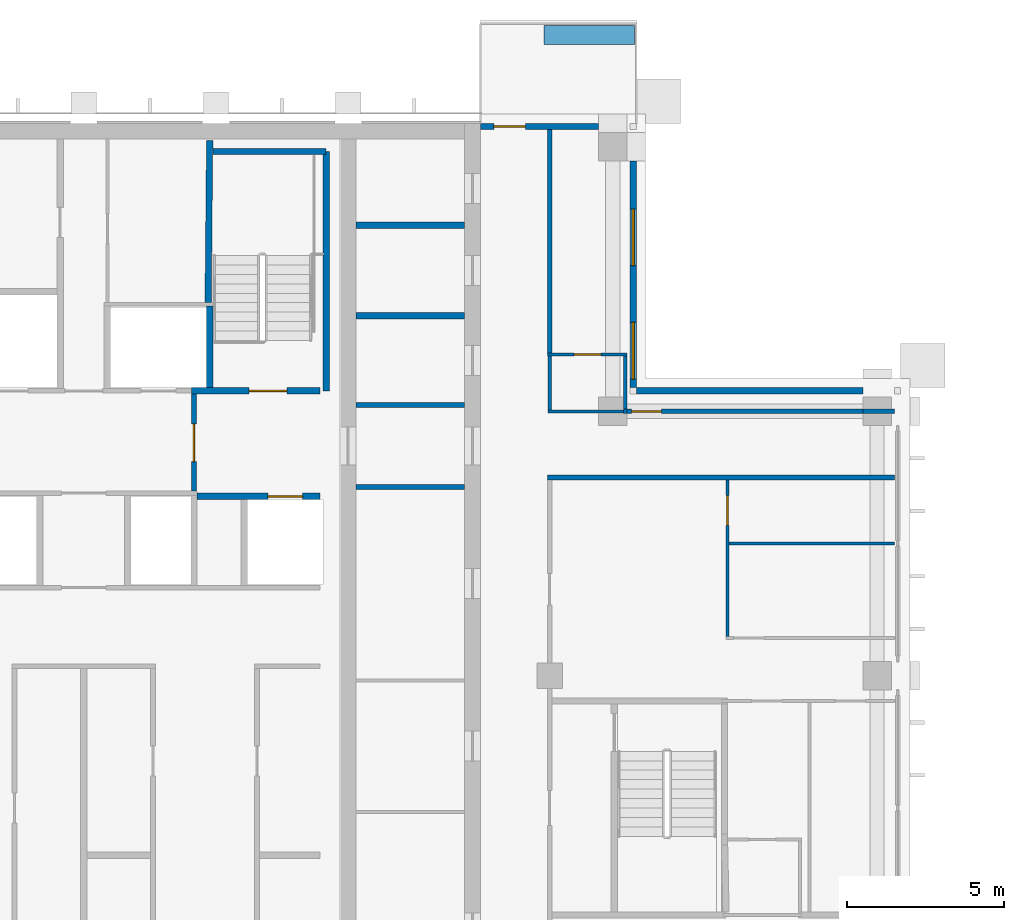
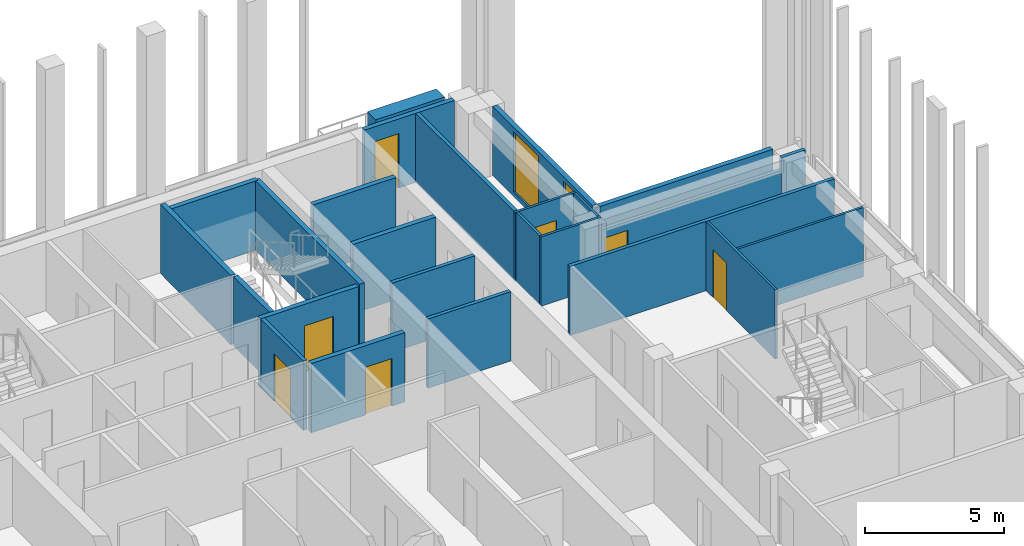
# One storey, part 15 of 20: 26 walls, 7 doors, 2 windows, 9 openings.
"""IFC4 building model written with IfcOpenShell, lengths in metres."""

from ifc_helpers import new_model, si_unit, direction, frame, frame_2d, origin, place, context, subcontext, project, spatial, rectangle, extrude, material, layer, layer_set, type_object, element, fill, save


model = new_model("IFC4")

# Units and contexts
model_context = context("Model", 3, precision=1e-05, world=origin(), true_north=direction((0.0, 1.0)))
body_context = subcontext(model_context, "Body", "Model", "MODEL_VIEW")
ifc_project = project(units=[si_unit("LENGTHUNIT", "METRE"), si_unit("AREAUNIT", "SQUARE_METRE"), si_unit("VOLUMEUNIT", "CUBIC_METRE"), si_unit("PLANEANGLEUNIT", "RADIAN"), si_unit("MASSUNIT", "GRAM", prefix="KILO")], contexts=[model_context])

# Site, building, storey
site_placement = place(None, origin())
site = spatial("IfcSite", under=ifc_project, at=site_placement, CompositionType="ELEMENT")
building_placement = place(site_placement, origin())
building = spatial("IfcBuilding", under=site, at=building_placement, Name="Vermilion Ogive Tower", CompositionType="ELEMENT")
storey_placement = place(building_placement, frame((0.0, 0.0, 223.449951171875)))
storey = spatial("IfcBuildingStorey", under=building, at=storey_placement, Name="L58", CompositionType="ELEMENT", Elevation=223.449951171875)

# Wall
ifc_material_1 = material(Name="Gypsum board partition on steel studs", Category="steel")
ifc_layer_1 = layer(ifc_material_1, 0.10009765625)
ifc_layer_set_1 = layer_set([ifc_layer_1], Name="Partition 100 bath")
wall_type_1 = type_object("IfcWallType", Name="Partition 100 bath", PredefinedType="PARTITIONING", material=ifc_layer_set_1)
wall_1_placement = place(storey_placement, frame((14.75, 12.60009765625, 0.0), z_axis=(0.0, 0.0, 1.0), x_axis=(1.0, 0.0, 0.0)))
element("IfcWall", 1, at=wall_1_placement, inside=storey, type_object=wall_type_1, Name="L58-W-W035", PredefinedType="PARTITIONING", context=body_context, shape_type="SweptSolid", body=[
    extrude(rectangle(XDim=2.5, YDim=0.10009765625, at=frame_2d((1.25, 0.0))), origin(), (0.0, 0.0, 1.0), 3.050048828125),
])

# Wall, opening, door
wall_2_placement = place(storey_placement, frame((14.72509765625, 14.39990234375, 0.0), z_axis=(0.0, 0.0, 1.0), x_axis=(1.0, 0.0, 0.0)))
wall_2 = element("IfcWall", 2, at=wall_2_placement, inside=storey, type_object=wall_type_1, Name="L58-W-W038", PredefinedType="PARTITIONING", context=body_context, shape_type="SweptSolid", body=[
    extrude(rectangle(XDim=2.52490234375, YDim=0.10009765625, at=frame_2d((1.262451171875, 0.0))), origin(), (0.0, 0.0, 1.0), 3.050048828125),
])
opening_1_placement = place(wall_2_placement, frame((0.849853515625, 0.0, 0.0)))
opening_1 = element("IfcOpeningElement", 3, at=opening_1_placement, cuts=wall_2, Name="Opening D5G1022", PredefinedType="OPENING", context=body_context, shape_type="SweptSolid", body=[
    extrude(rectangle(XDim=0.85009765625, YDim=2.10009765625, at=frame_2d((0.425048828125, 1.050048828125))), frame((0.0, 0.06005859375, 0.0), z_axis=(0.0, -1.0, 0.0), x_axis=(1.0, 0.0, 0.0)), (0.0, 0.0, 1.0), 0.1201171875),
])
ifc_material_2 = material(Name="Timber door leaf", Category="wood")
door_type_1 = type_object("IfcDoorType", Name="Bath door 850 x 2100 FD30", OperationType="SINGLE_SWING_LEFT", PredefinedType="DOOR", material=ifc_material_2)
door_1_placement = place(opening_1_placement, origin())
door_1 = element("IfcDoor", 4, at=door_1_placement, inside=storey, type_object=door_type_1, Name="L58-D-D022", OperationType="SINGLE_SWING_RIGHT", OverallHeight=2.10009765625, OverallWidth=0.85009765625, PredefinedType="DOOR", context=body_context, shape_type="SweptSolid", body=[
    extrude(rectangle(XDim=0.85009765625, YDim=2.10009765625, at=frame_2d((0.425048828125, 1.050048828125))), frame((0.0, 0.02490234375, 0.0), z_axis=(0.0, -1.0, 0.0), x_axis=(1.0, 0.0, 0.0)), (0.0, 0.0, 1.0), 0.050048828125),
])
fill(opening_1, door_1)

# Walls
wall_3_placement = place(storey_placement, frame((14.800048828125, 12.64990234375, 0.0), z_axis=(0.0, 0.0, 1.0), x_axis=(0.0, 1.0, 0.0)))
element("IfcWall", 5, at=wall_3_placement, inside=storey, type_object=wall_type_1, Name="L58-W-W058", PredefinedType="PARTITIONING", context=body_context, shape_type="SweptSolid", body=[
    extrude(rectangle(XDim=1.7001953125, YDim=0.10009765625, at=frame_2d((0.85009765625, 0.0))), origin(), (0.0, 0.0, 1.0), 3.050048828125),
])
wall_4_placement = place(storey_placement, frame((17.199951171875, 12.675048828125, 0.0), z_axis=(0.0, 0.0, 1.0), x_axis=(0.0, 1.0, 0.0)))
element("IfcWall", 6, at=wall_4_placement, inside=storey, type_object=wall_type_1, Name="L58-W-W062", PredefinedType="PARTITIONING", context=body_context, shape_type="SweptSolid", body=[
    extrude(rectangle(XDim=1.675048828125, YDim=0.10009765625, at=frame_2d((0.83740234375, 0.0))), origin(), (0.0, 0.0, 1.0), 3.050048828125),
])
ifc_material_3 = material(Name="Gypsum board partition on steel studs", Category="steel")
ifc_layer_2 = layer(ifc_material_3, 0.10009765625)
ifc_layer_set_2 = layer_set([ifc_layer_2], Name="Partition 100 inner")
wall_type_2 = type_object("IfcWallType", Name="Partition 100 inner", PredefinedType="PARTITIONING", material=ifc_layer_set_2)
wall_5_placement = place(storey_placement, frame((20.5, 8.39990234375, 0.0), z_axis=(0.0, 0.0, 1.0), x_axis=(1.0, 0.0, 0.0)))
element("IfcWall", 7, at=wall_5_placement, inside=storey, type_object=wall_type_2, Name="L58-W-W030", PredefinedType="PARTITIONING", context=body_context, shape_type="SweptSolid", body=[
    extrude(rectangle(XDim=5.25, YDim=0.10009765625, at=frame_2d((2.625, 0.0))), origin(), (0.0, 0.0, 1.0), 3.050048828125),
])

# Wall, opening, door
wall_6_placement = place(storey_placement, frame((20.449951171875, 5.449951171875, 0.0), z_axis=(0.0, 0.0, 1.0), x_axis=(0.0, 1.0, 0.0)))
wall_6 = element("IfcWall", 8, at=wall_6_placement, inside=storey, type_object=wall_type_2, Name="L58-W-W065", PredefinedType="PARTITIONING", context=body_context, shape_type="SweptSolid", body=[
    extrude(rectangle(XDim=4.97509765625, YDim=0.10009765625, at=frame_2d((2.487548828125, 0.0))), origin(), (0.0, 0.0, 1.0), 3.050048828125),
])
opening_2_placement = place(wall_6_placement, frame((3.525146484375, 0.0, 0.0)))
opening_2 = element("IfcOpeningElement", 9, at=opening_2_placement, cuts=wall_6, Name="Opening D5G1017", PredefinedType="OPENING", context=body_context, shape_type="SweptSolid", body=[
    extrude(rectangle(XDim=0.949951171875, YDim=2.10009765625, at=frame_2d((0.47509765625, 1.050048828125))), frame((0.0, 0.06005859375, 0.0), z_axis=(0.0, -1.0, 0.0), x_axis=(1.0, 0.0, 0.0)), (0.0, 0.0, 1.0), 0.1201171875),
])
ifc_material_4 = material(Name="Timber door leaf", Category="wood")
door_type_2 = type_object("IfcDoorType", Name="Inner door 950 x 2100 FD30", OperationType="SINGLE_SWING_LEFT", PredefinedType="DOOR", material=ifc_material_4)
door_2_placement = place(opening_2_placement, origin())
door_2 = element("IfcDoor", 10, at=door_2_placement, inside=storey, type_object=door_type_2, Name="L58-D-D017", OperationType="SINGLE_SWING_RIGHT", OverallHeight=2.10009765625, OverallWidth=0.949951171875, PredefinedType="DOOR", context=body_context, shape_type="SweptSolid", body=[
    extrude(rectangle(XDim=0.949951171875, YDim=2.10009765625, at=frame_2d((0.47509765625, 1.050048828125))), frame((0.0, 0.02490234375, 0.0), z_axis=(0.0, -1.0, 0.0), x_axis=(1.0, 0.0, 0.0)), (0.0, 0.0, 1.0), 0.050048828125),
])
fill(opening_2, door_2)

# Walls
ifc_material_5 = material(Name="Gypsum board partition on steel studs", Category="steel")
ifc_layer_3 = layer(ifc_material_5, 0.14990234375)
ifc_layer_set_3 = layer_set([ifc_layer_3], Name="Partition 150 corridor")
wall_type_3 = type_object("IfcWallType", Name="Partition 150 corridor", PredefinedType="PARTITIONING", material=ifc_layer_set_3)
wall_7_placement = place(storey_placement, frame((14.72509765625, 10.5, 0.0), z_axis=(0.0, 0.0, 1.0), x_axis=(1.0, 0.0, 0.0)))
element("IfcWall", 11, at=wall_7_placement, inside=storey, type_object=wall_type_3, Name="L58-W-W032", PredefinedType="PARTITIONING", context=body_context, shape_type="SweptSolid", body=[
    extrude(rectangle(XDim=11.02490234375, YDim=0.14990234375, at=frame_2d((5.512451171875, 0.0))), origin(), (0.0, 0.0, 1.0), 3.050048828125),
])
wall_8_placement = place(storey_placement, frame((17.14990234375, 12.60009765625, 0.0), z_axis=(0.0, 0.0, 1.0), x_axis=(1.0, 0.0, 0.0)))
element("IfcWall", 12, at=wall_8_placement, inside=storey, type_object=wall_type_3, Name="L58-W-W036", PredefinedType="PARTITIONING", context=body_context, shape_type="SweptSolid", body=[
    extrude(rectangle(XDim=0.10009765625, YDim=0.14990234375, at=frame_2d((0.050048828125, 0.0))), origin(), (0.0, 0.0, 1.0), 3.050048828125),
])
wall_9_placement = place(storey_placement, frame((14.800048828125, 14.449951171875, 0.0), z_axis=(0.0, 0.0, 1.0), x_axis=(0.0, 1.0, 0.0)))
element("IfcWall", 13, at=wall_9_placement, inside=storey, type_object=wall_type_3, Name="L58-W-W059", PredefinedType="PARTITIONING", context=body_context, shape_type="SweptSolid", body=[
    extrude(rectangle(XDim=7.10009765625, YDim=0.14990234375, at=frame_2d((3.550048828125, 0.0))), origin(), (0.0, 0.0, 1.0), 3.050048828125),
])

# Wall, opening, door
wall_10_placement = place(storey_placement, frame((3.5, 10.074951171875, 0.0), z_axis=(0.0, 0.0, 1.0), x_axis=(0.0, 1.0, 0.0)))
wall_10 = element("IfcWall", 14, at=wall_10_placement, inside=storey, type_object=wall_type_3, Name="L58-CK-W-W033", PredefinedType="PARTITIONING", context=body_context, shape_type="SweptSolid", body=[
    extrude(rectangle(XDim=3.074951171875, YDim=0.14990234375, at=frame_2d((1.53759765625, 0.0))), origin(), (0.0, 0.0, 1.0), 3.050048828125),
])
opening_3_placement = place(wall_10_placement, frame((0.925048828125, 0.0, 0.0)))
opening_3 = element("IfcOpeningElement", 15, at=opening_3_placement, cuts=wall_10, Name="Opening DAA539", PredefinedType="OPENING", context=body_context, shape_type="SweptSolid", body=[
    extrude(rectangle(XDim=1.199951171875, YDim=2.10009765625, at=frame_2d((0.60009765625, 1.050048828125))), frame((0.0, 0.0849609375, 0.0), z_axis=(0.0, -1.0, 0.0), x_axis=(1.0, 0.0, 0.0)), (0.0, 0.0, 1.0), 0.169921875),
])
ifc_material_6 = material(Name="Timber door leaf", Category="wood")
door_type_3 = type_object("IfcDoorType", Name="Lobby door 1200 x 2100 FD60S", OperationType="SINGLE_SWING_LEFT", PredefinedType="DOOR", material=ifc_material_6)
door_3_placement = place(opening_3_placement, origin())
door_3 = element("IfcDoor", 16, at=door_3_placement, inside=storey, type_object=door_type_3, Name="L58-CK-D-D023", OperationType="SINGLE_SWING_LEFT", OverallHeight=2.10009765625, OverallWidth=1.199951171875, PredefinedType="DOOR", context=body_context, shape_type="SweptSolid", body=[
    extrude(rectangle(XDim=1.199951171875, YDim=2.10009765625, at=frame_2d((0.60009765625, 1.050048828125))), frame((0.0, 0.02490234375, 0.0), z_axis=(0.0, -1.0, 0.0), x_axis=(1.0, 0.0, 0.0)), (0.0, 0.0, 1.0), 0.050048828125),
])
fill(opening_3, door_3)

# Walls
for number, where, z_axis, x_axis, name in (
    (17, (8.65087890625, 10.199951171875, 0.0), (0.0, 0.0, 1.0), (1.0, 0.0, 0.0), "L58-CKE-W-W003"),
    (18, (8.65087890625, 12.800048828125, 0.0), (0.0, 0.0, 1.0), (1.0, 0.0, 0.0), "L58-CKE-W-W004"),
):
    element("IfcWall", number, at=place(storey_placement, frame(where, z_axis=z_axis, x_axis=x_axis)), inside=storey, type_object=wall_type_3, Name=name, PredefinedType="PARTITIONING", context=body_context, shape_type="SweptSolid", body=[
        extrude(rectangle(XDim=3.4482421875, YDim=0.14990234375, at=frame_2d((1.72412109375, 0.0))), origin(), (0.0, 0.0, 1.0), 3.050048828125),
    ])

# Wall, opening, door
wall_11_placement = place(storey_placement, frame((17.25, 12.60009765625, 0.0), z_axis=(0.0, 0.0, 1.0), x_axis=(1.0, 0.0, 0.0)))
wall_11 = element("IfcWall", 19, at=wall_11_placement, inside=storey, type_object=wall_type_3, Name="L58-W-W036-h1", PredefinedType="PARTITIONING", context=body_context, shape_type="SweptSolid", body=[
    extrude(rectangle(XDim=7.5, YDim=0.14990234375, at=frame_2d((3.75, 0.0))), origin(), (0.0, 0.0, 1.0), 2.5),
])
opening_4_placement = place(wall_11_placement, frame((0.14990234375, 0.0, 0.0)))
opening_4 = element("IfcOpeningElement", 20, at=opening_4_placement, cuts=wall_11, Name="Opening D5G1021", PredefinedType="OPENING", context=body_context, shape_type="SweptSolid", body=[
    extrude(rectangle(XDim=0.949951171875, YDim=2.10009765625, at=frame_2d((0.47509765625, 1.050048828125))), frame((0.0, 0.0849609375, 0.0), z_axis=(0.0, -1.0, 0.0), x_axis=(1.0, 0.0, 0.0)), (0.0, 0.0, 1.0), 0.169921875),
])
ifc_material_7 = material(Name="Timber door leaf", Category="wood")
door_type_4 = type_object("IfcDoorType", Name="Unit door 950 x 2100 FD30S", OperationType="SINGLE_SWING_LEFT", PredefinedType="DOOR", material=ifc_material_7)
door_4_placement = place(opening_4_placement, origin())
door_4 = element("IfcDoor", 21, at=door_4_placement, inside=storey, type_object=door_type_4, Name="L58-D-D021", OperationType="SINGLE_SWING_LEFT", OverallHeight=2.10009765625, OverallWidth=0.949951171875, PredefinedType="DOOR", context=body_context, shape_type="SweptSolid", body=[
    extrude(rectangle(XDim=0.949951171875, YDim=2.10009765625, at=frame_2d((0.47509765625, 1.050048828125))), frame((0.0, 0.02490234375, 0.0), z_axis=(0.0, -1.0, 0.0), x_axis=(1.0, 0.0, 0.0)), (0.0, 0.0, 1.0), 0.050048828125),
])
fill(opening_4, door_4)

# Wall
wall_12_placement = place(storey_placement, frame((24.75, 12.60009765625, 0.0), z_axis=(0.0, 0.0, 1.0), x_axis=(1.0, 0.0, 0.0)))
element("IfcWall", 22, at=wall_12_placement, inside=storey, type_object=wall_type_3, Name="L58-W-W036-h2", PredefinedType="PARTITIONING", context=body_context, shape_type="SweptSolid", body=[
    extrude(rectangle(XDim=1.0, YDim=0.14990234375, at=frame_2d((0.5, 0.0))), origin(), (0.0, 0.0, 1.0), 3.050048828125),
])

# Wall, opening, door
ifc_material_8 = material(Name="Gypsum board partition on steel studs", Category="steel")
ifc_layer_4 = layer(ifc_material_8, 0.199951171875)
ifc_layer_set_4 = layer_set([ifc_layer_4], Name="Partition 200 party")
wall_type_4 = type_object("IfcWallType", Name="Partition 200 party", PredefinedType="PARTITIONING", material=ifc_layer_set_4)
wall_13_placement = place(storey_placement, frame((3.60009765625, 9.89990234375, 0.0), z_axis=(0.0, 0.0, 1.0), x_axis=(1.0, 0.0, 0.0)))
wall_13 = element("IfcWall", 23, at=wall_13_placement, inside=storey, type_object=wall_type_4, Name="L58-CK-W-W012", PredefinedType="PARTITIONING", context=body_context, shape_type="SweptSolid", body=[
    extrude(rectangle(XDim=3.89990234375, YDim=0.199951171875, at=frame_2d((1.949951171875, 0.0))), origin(), (0.0, 0.0, 1.0), 3.050048828125),
])
opening_5_placement = place(wall_13_placement, frame((2.25, 0.0, 0.0)))
opening_5 = element("IfcOpeningElement", 24, at=opening_5_placement, cuts=wall_13, Name="Opening DAA558", PredefinedType="OPENING", context=body_context, shape_type="SweptSolid", body=[
    extrude(rectangle(XDim=1.10009765625, YDim=2.10009765625, at=frame_2d((0.550048828125, 1.050048828125))), frame((0.0, 0.10986328125, 0.0), z_axis=(0.0, -1.0, 0.0), x_axis=(1.0, 0.0, 0.0)), (0.0, 0.0, 1.0), 0.219970703125),
])
ifc_material_9 = material(Name="Stainless steel", Category="steel")
door_type_5 = type_object("IfcDoorType", Name="Lift landing door 1100 x 2100", OperationType="SLIDING_TO_LEFT", PredefinedType="DOOR", material=ifc_material_9)
door_5_placement = place(opening_5_placement, origin())
door_5 = element("IfcDoor", 25, at=door_5_placement, inside=storey, type_object=door_type_5, Name="L58-CK-D-D014", OperationType="SLIDING_TO_LEFT", OverallHeight=2.10009765625, OverallWidth=1.10009765625, PredefinedType="DOOR", context=body_context, shape_type="SweptSolid", body=[
    extrude(rectangle(XDim=1.10009765625, YDim=2.10009765625, at=frame_2d((0.550048828125, 1.050048828125))), frame((0.0, 0.02490234375, 0.0), z_axis=(0.0, -1.0, 0.0), x_axis=(1.0, 0.0, 0.0)), (0.0, 0.0, 1.0), 0.050048828125),
])
fill(opening_5, door_5)

# Walls
for number, where, z_axis, x_axis, name in (
    (26, (8.65087890625, 15.636962890625, 0.0), (0.0, 0.0, 1.0), (1.0, 0.0, 0.0), "L58-CKE-W-W005"),
    (27, (8.65087890625, 18.509033203125, 0.0), (0.0, 0.0, 1.0), (1.0, 0.0, 0.0), "L58-CKE-W-W006"),
):
    element("IfcWall", number, at=place(storey_placement, frame(where, z_axis=z_axis, x_axis=x_axis)), inside=storey, type_object=wall_type_4, Name=name, PredefinedType="PARTITIONING", context=body_context, shape_type="SweptSolid", body=[
        extrude(rectangle(XDim=3.4482421875, YDim=0.199951171875, at=frame_2d((1.72412109375, 0.0))), origin(), (0.0, 0.0, 1.0), 3.050048828125),
    ])

# Wall, opening, door
ifc_material_10 = material(Name="Concrete B60", Category="concrete")
ifc_layer_5 = layer(ifc_material_10, 0.199951171875)
ifc_layer_set_5 = layer_set([ifc_layer_5], Name="Stair shaft wall 200 Concrete B60")
wall_type_5 = type_object("IfcWallType", Name="Stair shaft wall 200 Concrete B60", PredefinedType="SOLIDWALL", material=ifc_layer_set_5)
wall_14_placement = place(storey_placement, frame((3.425048828125, 13.25, 0.0), z_axis=(0.0, 0.0, 1.0), x_axis=(1.0, 0.0, 0.0)))
wall_14 = element("IfcWall", 28, at=wall_14_placement, inside=storey, type_object=wall_type_5, Name="L58-CK-W-W016", PredefinedType="SOLIDWALL", context=body_context, shape_type="SweptSolid", body=[
    extrude(rectangle(XDim=4.074951171875, YDim=0.199951171875, at=frame_2d((2.03759765625, 0.0))), origin(), (0.0, 0.0, 1.0), 3.050048828125),
])
opening_6_placement = place(wall_14_placement, frame((1.824951171875, 0.0, 0.0)))
opening_6 = element("IfcOpeningElement", 29, at=opening_6_placement, cuts=wall_14, Name="Opening DAA551", PredefinedType="OPENING", context=body_context, shape_type="SweptSolid", body=[
    extrude(rectangle(XDim=1.199951171875, YDim=2.10009765625, at=frame_2d((0.60009765625, 1.050048828125))), frame((0.0, 0.10986328125, 0.0), z_axis=(0.0, -1.0, 0.0), x_axis=(1.0, 0.0, 0.0)), (0.0, 0.0, 1.0), 0.219970703125),
])
ifc_material_11 = material(Name="Timber door leaf", Category="wood")
door_type_6 = type_object("IfcDoorType", Name="Stair door 1200 x 2100 FD60S", OperationType="SINGLE_SWING_LEFT", PredefinedType="DOOR", material=ifc_material_11)
door_6_placement = place(opening_6_placement, origin())
door_6 = element("IfcDoor", 30, at=door_6_placement, inside=storey, type_object=door_type_6, Name="L58-CK-D-D013", OperationType="SINGLE_SWING_RIGHT", OverallHeight=2.10009765625, OverallWidth=1.199951171875, PredefinedType="DOOR", context=body_context, shape_type="SweptSolid", body=[
    extrude(rectangle(XDim=1.199951171875, YDim=2.10009765625, at=frame_2d((0.60009765625, 1.050048828125))), frame((0.0, 0.02490234375, 0.0), z_axis=(0.0, -1.0, 0.0), x_axis=(1.0, 0.0, 0.0)), (0.0, 0.0, 1.0), 0.050048828125),
])
fill(opening_6, door_6)

# Walls
wall_15_placement = place(storey_placement, frame((4.0, 13.35009765625, 0.0), z_axis=(0.0, 0.0, 1.0), x_axis=(0.0, 1.0, 0.0)))
element("IfcWall", 31, at=wall_15_placement, inside=storey, type_object=wall_type_5, Name="L58-CK-W-W034", PredefinedType="SOLIDWALL", context=body_context, shape_type="SweptSolid", body=[
    extrude(rectangle(XDim=2.599853515625, YDim=0.199951171875, at=frame_2d((1.2998046875, 0.0))), origin(), (0.0, 0.0, 1.0), 3.050048828125),
])
wall_16_placement = place(storey_placement, frame((3.949951171875, 16.050048828125, 0.0), z_axis=(0.0, 0.0, 1.0), x_axis=(0.009719787395, 0.999952761751, 0.0)))
element("IfcWall", 32, at=wall_16_placement, inside=storey, type_object=wall_type_5, Name="L58-CK-W-W035", PredefinedType="SOLIDWALL", context=body_context, shape_type="SweptSolid", body=[
    extrude(rectangle(XDim=5.149169921875, YDim=0.199951171875, at=frame_2d((2.57470703125, 0.0))), origin(), (0.0, 0.0, 1.0), 3.050048828125),
])
wall_17_placement = place(storey_placement, frame((7.699951171875, 13.25, 0.0), z_axis=(0.0, 0.0, 1.0), x_axis=(0.0, 1.0, 0.0)))
element("IfcWall", 33, at=wall_17_placement, inside=storey, type_object=wall_type_5, Name="L58-SW-R019-E1", PredefinedType="SOLIDWALL", context=body_context, shape_type="SweptSolid", body=[
    extrude(rectangle(XDim=7.60009765625, YDim=0.199951171875, at=frame_2d((3.800048828125, 0.0))), origin(), (0.0, 0.0, 1.0), 3.050048828125),
])
wall_18_placement = place(storey_placement, frame((4.10009765625, 20.85009765625, 0.0), z_axis=(0.0, 0.0, 1.0), x_axis=(1.0, 0.0, 0.0)))
element("IfcWall", 34, at=wall_18_placement, inside=storey, type_object=wall_type_5, Name="L58-SW-R019-N1", PredefinedType="SOLIDWALL", context=body_context, shape_type="SweptSolid", body=[
    extrude(rectangle(XDim=3.599853515625, YDim=0.199951171875, at=frame_2d((1.7998046875, 0.0))), origin(), (0.0, 0.0, 1.0), 3.050048828125),
])
ifc_material_12 = material(Name="Concrete B40", Category="concrete")
ifc_layer_6 = layer(ifc_material_12, 0.60009765625)
ifc_layer_set_6 = layer_set([ifc_layer_6], Name="Structural planter")
wall_type_6 = type_object("IfcWallType", Name="Structural planter", PredefinedType="USERDEFINED", material=ifc_layer_set_6)
wall_19_placement = place(storey_placement, frame((17.489990234375, 24.550048828125, -0.0400390625), z_axis=(0.0, 0.0, 1.0), x_axis=(-1.0, 0.0, 0.0)))
element("IfcWall", 35, at=wall_19_placement, inside=storey, type_object=wall_type_6, Name="Planter N101A1", ObjectType="PLANTER", PredefinedType="USERDEFINED", context=body_context, shape_type="SweptSolid", body=[
    extrude(rectangle(XDim=2.864990234375, YDim=0.60009765625, at=frame_2d((1.4326171875, 0.0))), origin(), (0.0, 0.0, 1.0), 1.2001953125),
])
ifc_material_13 = material(Name="Aluminium window wall framing", Category="aluminium")
ifc_layer_7 = layer(ifc_material_13, 0.199951171875)
ifc_layer_set_7 = layer_set([ifc_layer_7], Name="Window wall")
wall_type_7 = type_object("IfcWallType", Name="Window wall", PredefinedType="STANDARD", material=ifc_layer_set_7)
wall_20_placement = place(storey_placement, frame((24.75, 13.25, 0.0), z_axis=(0.0, 0.0, 1.0), x_axis=(-1.0, 0.0, 0.0)))
element("IfcWall", 36, at=wall_20_placement, inside=storey, type_object=wall_type_7, Name="Window wall X31", PredefinedType="STANDARD", context=body_context, shape_type="SweptSolid", body=[
    extrude(rectangle(XDim=7.199951171875, YDim=0.199951171875, at=frame_2d((3.60009765625, 0.0))), origin(), (0.0, 0.0, 1.0), 3.050048828125),
])

# Wall, openings, windows
wall_21_placement = place(storey_placement, frame((17.449951171875, 13.35009765625, 0.0), z_axis=(0.0, 0.0, 1.0), x_axis=(0.0, 1.0, 0.0)))
wall_21 = element("IfcWall", 37, at=wall_21_placement, inside=storey, type_object=wall_type_7, Name="Window wall X41", PredefinedType="STANDARD", context=body_context, shape_type="SweptSolid", body=[
    extrude(rectangle(XDim=7.199951171875, YDim=0.199951171875, at=frame_2d((3.60009765625, 0.0))), origin(), (0.0, 0.0, 1.0), 3.050048828125),
])
opening_7_placement = place(wall_21_placement, frame((0.27490234375, 0.0, 0.199951171875)))
opening_7 = element("IfcOpeningElement", 38, at=opening_7_placement, cuts=wall_21, Name="Opening W1-X403", PredefinedType="OPENING", context=body_context, shape_type="SweptSolid", body=[
    extrude(rectangle(XDim=1.800048828125, YDim=2.64990234375, at=frame_2d((0.89990234375, 1.324951171875))), frame((0.0, 0.10986328125, 0.0), z_axis=(0.0, -1.0, 0.0), x_axis=(1.0, 0.0, 0.0)), (0.0, 0.0, 1.0), 0.219970703125),
])
opening_8_placement = place(wall_21_placement, frame((3.875, 0.0, 0.199951171875)))
opening_8 = element("IfcOpeningElement", 39, at=opening_8_placement, cuts=wall_21, Name="Opening W1-X404", PredefinedType="OPENING", context=body_context, shape_type="SweptSolid", body=[
    extrude(rectangle(XDim=1.800048828125, YDim=2.64990234375, at=frame_2d((0.89990234375, 1.324951171875))), frame((0.0, 0.10986328125, 0.0), z_axis=(0.0, -1.0, 0.0), x_axis=(1.0, 0.0, 0.0)), (0.0, 0.0, 1.0), 0.219970703125),
])
ifc_material_14 = material(Name="Aluminium framed double glazing", Category="aluminium")
window_type = type_object("IfcWindowType", Name="Guest window W1", PartitioningType="SINGLE_PANEL", PredefinedType="WINDOW", material=ifc_material_14)
window_1_placement = place(opening_7_placement, origin())
window_1 = element("IfcWindow", 40, at=window_1_placement, inside=storey, type_object=window_type, Name="Window X403", OverallHeight=2.64990234375, OverallWidth=1.800048828125, PartitioningType="SINGLE_PANEL", PredefinedType="WINDOW", context=body_context, shape_type="SweptSolid", body=[
    extrude(rectangle(XDim=1.800048828125, YDim=2.64990234375, at=frame_2d((0.89990234375, 1.324951171875))), frame((0.0, 0.030029296875, 0.0), z_axis=(0.0, -1.0, 0.0), x_axis=(1.0, 0.0, 0.0)), (0.0, 0.0, 1.0), 0.06005859375),
])
fill(opening_7, window_1)
window_2_placement = place(opening_8_placement, origin())
window_2 = element("IfcWindow", 41, at=window_2_placement, inside=storey, type_object=window_type, Name="Window X404", OverallHeight=2.64990234375, OverallWidth=1.800048828125, PartitioningType="SINGLE_PANEL", PredefinedType="WINDOW", context=body_context, shape_type="SweptSolid", body=[
    extrude(rectangle(XDim=1.800048828125, YDim=2.64990234375, at=frame_2d((0.89990234375, 1.324951171875))), frame((0.0, 0.030029296875, 0.0), z_axis=(0.0, -1.0, 0.0), x_axis=(1.0, 0.0, 0.0)), (0.0, 0.0, 1.0), 0.06005859375),
])
fill(opening_8, window_2)

# Wall, opening, door
wall_22_placement = place(storey_placement, frame((16.35009765625, 21.64990234375, 0.0), z_axis=(0.0, 0.0, 1.0), x_axis=(-1.0, 0.0, 0.0)))
wall_22 = element("IfcWall", 42, at=wall_22_placement, inside=storey, type_object=wall_type_7, Name="Window wall N11", PredefinedType="STANDARD", context=body_context, shape_type="SweptSolid", body=[
    extrude(rectangle(XDim=3.75, YDim=0.199951171875, at=frame_2d((1.875, 0.0))), origin(), (0.0, 0.0, 1.0), 3.050048828125),
])
opening_9_placement = place(wall_22_placement, frame((2.324951171875, 0.0, 0.0)))
opening_9 = element("IfcOpeningElement", 43, at=opening_9_placement, cuts=wall_22, Name="Opening D1-N103", PredefinedType="OPENING", context=body_context, shape_type="SweptSolid", body=[
    extrude(rectangle(XDim=1.0, YDim=2.39990234375, at=frame_2d((0.5, 1.199951171875))), frame((0.0, 0.10986328125, 0.0), z_axis=(0.0, -1.0, 0.0), x_axis=(1.0, 0.0, 0.0)), (0.0, 0.0, 1.0), 0.219970703125),
])
ifc_material_15 = material(Name="Aluminium framed glazed door", Category="aluminium")
door_type_7 = type_object("IfcDoorType", Name="Balcony door D1", OperationType="SINGLE_SWING_LEFT", PredefinedType="DOOR", material=ifc_material_15)
door_7_placement = place(opening_9_placement, origin())
door_7 = element("IfcDoor", 44, at=door_7_placement, inside=storey, type_object=door_type_7, Name="Balcony door N103", OperationType="SINGLE_SWING_LEFT", OverallHeight=2.39990234375, OverallWidth=1.0, PredefinedType="DOOR", context=body_context, shape_type="SweptSolid", body=[
    extrude(rectangle(XDim=1.0, YDim=2.39990234375, at=frame_2d((0.5, 1.199951171875))), frame((0.0, 0.02490234375, 0.0), z_axis=(0.0, -1.0, 0.0), x_axis=(1.0, 0.0, 0.0)), (0.0, 0.0, 1.0), 0.050048828125),
])
fill(opening_9, door_7)

save(model, "model.ifc")
